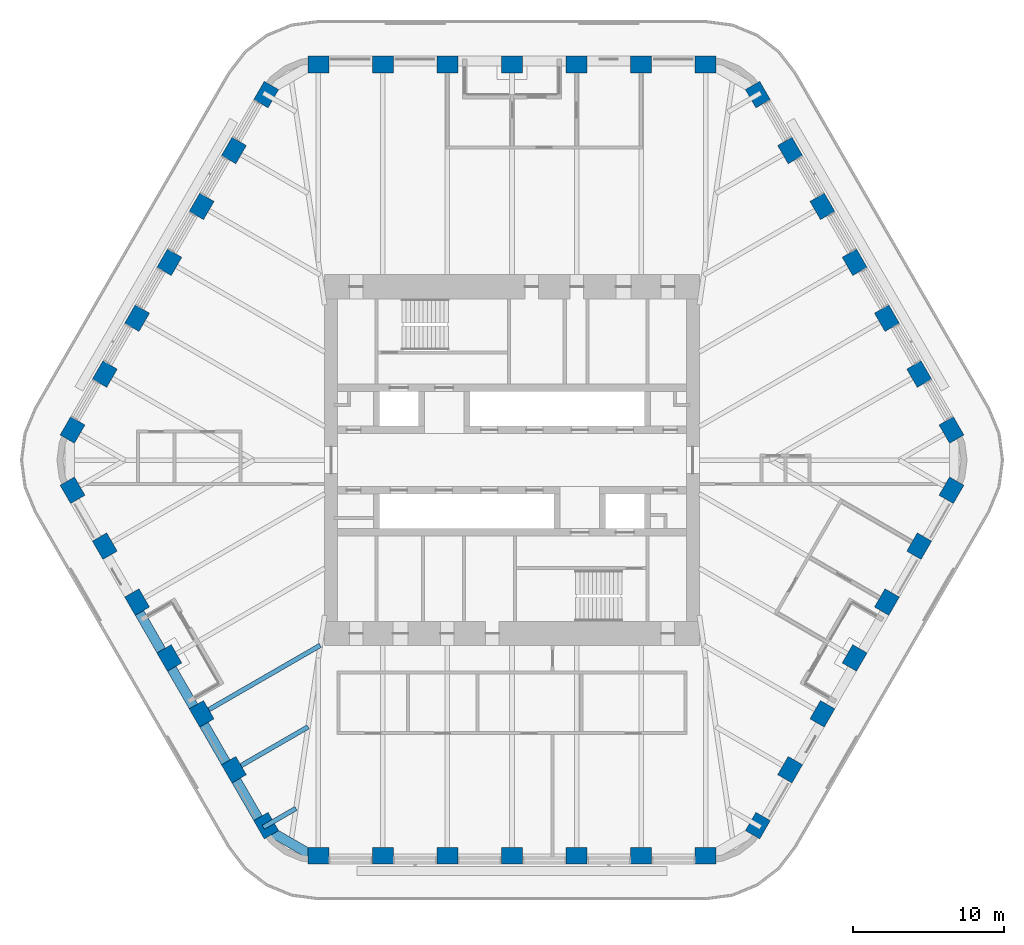
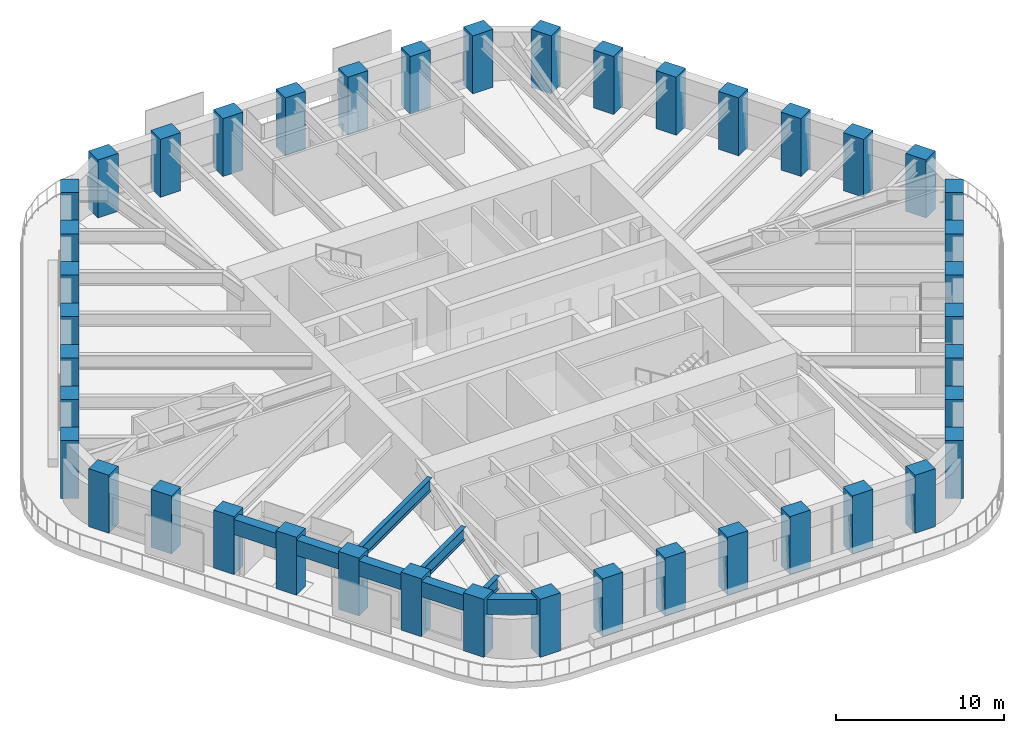
# One storey, part 1 of 19: 42 columns, 8 beams.
"""IFC4 building model written with IfcOpenShell, lengths in metres."""

from ifc_helpers import new_model, si_unit, direction, frame, origin, origin_2d, place, context, subcontext, project, spatial, rectangle, i_section, extrude, material, material_profile, profile_set, type_object, element, save


model = new_model("IFC4")

# Units and contexts
model_context = context("Model", 3, precision=1e-05, world=origin(), true_north=direction((0.0, 1.0)))
body_context = subcontext(model_context, "Body", "Model", "MODEL_VIEW")
ifc_project = project(units=[si_unit("LENGTHUNIT", "METRE"), si_unit("AREAUNIT", "SQUARE_METRE"), si_unit("VOLUMEUNIT", "CUBIC_METRE"), si_unit("PLANEANGLEUNIT", "RADIAN"), si_unit("MASSUNIT", "GRAM", prefix="KILO")], contexts=[model_context])

# Site, building, storey
site_placement = place(None, origin())
site = spatial("IfcSite", under=ifc_project, at=site_placement, CompositionType="ELEMENT")
building_placement = place(site_placement, origin())
building = spatial("IfcBuilding", under=site, at=building_placement, Name="Tarfa Lantern Tower", CompositionType="ELEMENT")
storey_placement = place(building_placement, frame((0.0, 0.0, 328.300048828125)))
storey = spatial("IfcBuildingStorey", under=building, at=storey_placement, Name="L74", CompositionType="ELEMENT", Elevation=328.300048828125)

# Columns
ifc_material_1 = material(Name="Concrete C80/95", Category="concrete")
ifc_material_profile_1 = material_profile(ifc_material_1, rectangle(XDim=1.39990234375, YDim=1.10009765625, at=origin_2d()), Name="RC 1400x1100")
ifc_profile_set_1 = profile_set([ifc_material_profile_1], Name="Concrete C80/95")
column_type = type_object("IfcColumnType", Name="TC13 RC 1400x1100", PredefinedType="COLUMN", material=ifc_profile_set_1)
for number, where, z_axis, x_axis, name in (
    (1, (29.15625, 2.0, 0.0), (0.0, 0.0, 1.0), (-0.5, 0.866025403784, 0.0), "Tube column NE0"),
    (2, (27.01513671875, 5.708251953125, 0.0), (0.0, 0.0, 1.0), (-0.5, 0.866025403784, 0.0), "Tube column NE1"),
    (3, (24.874267578125, 9.416748046875, 0.0), (0.0, 0.0, 1.0), (-0.5, 0.866025403784, 0.0), "Tube column NE2"),
    (4, (22.733154296875, 13.125, 0.0), (0.0, 0.0, 1.0), (-0.5, 0.866025403784, 0.0), "Tube column NE3"),
    (5, (20.592041015625, 16.833251953125, 0.0), (0.0, 0.0, 1.0), (-0.5, 0.866025403784, 0.0), "Tube column NE4"),
    (6, (18.451171875, 20.541748046875, 0.0), (0.0, 0.0, 1.0), (-0.5, 0.866025403784, 0.0), "Tube column NE5"),
    (7, (16.31005859375, 24.25, 0.0), (0.0, 0.0, 1.0), (-0.5, 0.866025403784, 0.0), "Tube column NE6"),
    (8, (12.845947265625, 26.25, 0.0), (0.0, 0.0, 1.0), (-1.0, 0.0, 0.0), "Tube column N0"),
    (9, (8.56396484375, 26.25, 0.0), (0.0, 0.0, 1.0), (-1.0, 0.0, 0.0), "Tube column N1"),
    (10, (4.281982421875, 26.25, 0.0), (0.0, 0.0, 1.0), (-1.0, 0.0, 0.0), "Tube column N2"),
    (11, (0.0, 26.25, 0.0), (0.0, 0.0, 1.0), (-1.0, 0.0, 0.0), "Tube column N3"),
    (12, (-4.281982421875, 26.25, 0.0), (0.0, 0.0, 1.0), (-1.0, 0.0, 0.0), "Tube column N4"),
    (13, (-8.56396484375, 26.25, 0.0), (0.0, 0.0, 1.0), (-1.0, 0.0, 0.0), "Tube column N5"),
    (14, (-12.845947265625, 26.25, 0.0), (0.0, 0.0, 1.0), (-1.0, 0.0, 0.0), "Tube column N6"),
    (15, (-16.31005859375, 24.25, 0.0), (0.0, 0.0, 1.0), (-0.5, -0.866025403784, 0.0), "Tube column NW0"),
    (16, (-18.451171875, 20.541748046875, 0.0), (0.0, 0.0, 1.0), (-0.5, -0.866025403784, 0.0), "Tube column NW1"),
    (17, (-20.592041015625, 16.833251953125, 0.0), (0.0, 0.0, 1.0), (-0.5, -0.866025403784, 0.0), "Tube column NW2"),
    (18, (-22.733154296875, 13.125, 0.0), (0.0, 0.0, 1.0), (-0.5, -0.866025403784, 0.0), "Tube column NW3"),
    (19, (-24.874267578125, 9.416748046875, 0.0), (0.0, 0.0, 1.0), (-0.5, -0.866025403784, 0.0), "Tube column NW4"),
    (20, (-27.01513671875, 5.708251953125, 0.0), (0.0, 0.0, 1.0), (-0.5, -0.866025403784, 0.0), "Tube column NW5"),
    (21, (-29.15625, 2.0, 0.0), (0.0, 0.0, 1.0), (-0.5, -0.866025403784, 0.0), "Tube column NW6"),
    (22, (-29.15625, -2.0, 0.0), (0.0, 0.0, 1.0), (0.5, -0.866025403784, 0.0), "Tube column SW0"),
    (23, (-27.01513671875, -5.708251953125, 0.0), (0.0, 0.0, 1.0), (0.5, -0.866025403784, 0.0), "Tube column SW1"),
    (24, (-24.874267578125, -9.416748046875, 0.0), (0.0, 0.0, 1.0), (0.5, -0.866025403784, 0.0), "Tube column SW2"),
    (25, (-22.733154296875, -13.125, 0.0), (0.0, 0.0, 1.0), (0.5, -0.866025403784, 0.0), "Tube column SW3"),
    (26, (-20.592041015625, -16.833251953125, 0.0), (0.0, 0.0, 1.0), (0.5, -0.866025403784, 0.0), "Tube column SW4"),
    (27, (-18.451171875, -20.541748046875, 0.0), (0.0, 0.0, 1.0), (0.5, -0.866025403784, 0.0), "Tube column SW5"),
    (28, (-16.31005859375, -24.25, 0.0), (0.0, 0.0, 1.0), (0.5, -0.866025403784, 0.0), "Tube column SW6"),
    (29, (-12.845947265625, -26.25, 0.0), (0.0, 0.0, 1.0), (1.0, 0.0, 0.0), "Tube column S0"),
    (30, (-8.56396484375, -26.25, 0.0), (0.0, 0.0, 1.0), (1.0, 0.0, 0.0), "Tube column S1"),
    (31, (-4.281982421875, -26.25, 0.0), (0.0, 0.0, 1.0), (1.0, 0.0, 0.0), "Tube column S2"),
    (32, (0.0, -26.25, 0.0), (0.0, 0.0, 1.0), (1.0, 0.0, 0.0), "Tube column S3"),
    (33, (4.281982421875, -26.25, 0.0), (0.0, 0.0, 1.0), (1.0, 0.0, 0.0), "Tube column S4"),
    (34, (8.56396484375, -26.25, 0.0), (0.0, 0.0, 1.0), (1.0, 0.0, 0.0), "Tube column S5"),
    (35, (12.845947265625, -26.25, 0.0), (0.0, 0.0, 1.0), (1.0, 0.0, 0.0), "Tube column S6"),
    (36, (16.31005859375, -24.25, 0.0), (0.0, 0.0, 1.0), (0.5, 0.866025403784, 0.0), "Tube column SE0"),
    (37, (18.451171875, -20.541748046875, 0.0), (0.0, 0.0, 1.0), (0.5, 0.866025403784, 0.0), "Tube column SE1"),
    (38, (20.592041015625, -16.833251953125, 0.0), (0.0, 0.0, 1.0), (0.5, 0.866025403784, 0.0), "Tube column SE2"),
    (39, (22.733154296875, -13.125, 0.0), (0.0, 0.0, 1.0), (0.5, 0.866025403784, 0.0), "Tube column SE3"),
    (40, (24.874267578125, -9.416748046875, 0.0), (0.0, 0.0, 1.0), (0.5, 0.866025403784, 0.0), "Tube column SE4"),
    (41, (27.01513671875, -5.708251953125, 0.0), (0.0, 0.0, 1.0), (0.5, 0.866025403784, 0.0), "Tube column SE5"),
    (42, (29.15625, -2.0, 0.0), (0.0, 0.0, 1.0), (0.5, 0.866025403784, 0.0), "Tube column SE6"),
):
    element("IfcColumn", number, at=place(storey_placement, frame(where, z_axis=z_axis, x_axis=x_axis)), inside=storey, type_object=column_type, Name=name, PredefinedType="COLUMN", context=body_context, shape_type="SweptSolid", body=[
        extrude(rectangle(XDim=1.39990234375, YDim=1.10009765625, at=origin_2d()), origin(), (0.0, 0.0, 1.0), 4.199951171875),
    ])

# Beams
ifc_material_profile_2 = material_profile(ifc_material_1, rectangle(XDim=0.64990234375, YDim=1.10009765625, at=origin_2d()), Name="RC 650x1100")
ifc_profile_set_2 = profile_set([ifc_material_profile_2], Name="Concrete C80/95")
beam_type_1 = type_object("IfcBeamType", Name="EB4 RC 650x1100", PredefinedType="SPANDREL", material=ifc_profile_set_2)
beam_1_placement = place(storey_placement, frame((-25.064697265625, -9.526611328125, 3.449951171875), z_axis=(0.500002112793, -0.866024183959, 0.0), x_axis=(0.866024183959, 0.500002112793, 0.0)))
element("IfcBeam", 43, at=beam_1_placement, inside=storey, type_object=beam_type_1, Name="Edge beam SW2", PredefinedType="SPANDREL", context=body_context, shape_type="SweptSolid", body=[
    extrude(rectangle(XDim=0.64990234375, YDim=1.10009765625, at=origin_2d()), origin(), (0.0, 0.0, 1.0), 4.2822265625),
])
for number, where, z_axis, x_axis, name in (
    (44, (-22.923583984375, -13.235107421875, 3.449951171875), (0.499984039138, -0.866034618596, 0.0), (0.866034618596, 0.499984039138, 0.0), "Edge beam SW3"),
    (45, (-20.78271484375, -16.943359375, 3.449951171875), (0.500026801138, -0.866009929587, 0.0), (0.866009929587, 0.500026801138, 0.0), "Edge beam SW4"),
    (46, (-18.6416015625, -20.651611328125, 3.449951171875), (0.499959351497, -0.866048870937, 0.0), (0.866048870937, 0.499959351497, 0.0), "Edge beam SW5"),
):
    element("IfcBeam", number, at=place(storey_placement, frame(where, z_axis=z_axis, x_axis=x_axis)), inside=storey, type_object=beam_type_1, Name=name, PredefinedType="SPANDREL", context=body_context, shape_type="SweptSolid", body=[
        extrude(rectangle(XDim=0.64990234375, YDim=1.10009765625, at=origin_2d()), origin(), (0.0, 0.0, 1.0), 4.281982421875),
    ])
beam_2_placement = place(storey_placement, frame((-16.500732421875, -24.360107421875, 3.449951171875), z_axis=(0.866048788483, -0.499959494327, 0.0), x_axis=(0.499959494327, 0.866048788483, 0.0)))
element("IfcBeam", 47, at=beam_2_placement, inside=storey, type_object=beam_type_1, Name="Edge beam SW6", PredefinedType="SPANDREL", context=body_context, shape_type="SweptSolid", body=[
    extrude(rectangle(XDim=0.64990234375, YDim=1.10009765625, at=origin_2d()), origin(), (0.0, 0.0, 1.0), 4.219970703125),
])
ifc_material_2 = material(Name="Steel S460M", Category="steel")
ifc_material_profile_3 = material_profile(ifc_material_2, i_section(OverallWidth=0.305419921875, OverallDepth=0.91845703125, WebThickness=0.017333984375, FlangeThickness=0.02783203125, FilletRadius=0.01904296875, at=origin_2d()), Name="UB914x305x253")
ifc_profile_set_3 = profile_set([ifc_material_profile_3], Name="Steel S460M")
beam_type_2 = type_object("IfcBeamType", Name="UB914x305x253", PredefinedType="BEAM", material=ifc_profile_set_3)
beam_3_placement = place(storey_placement, frame((-20.78271484375, -16.943359375, 3.540771484375), z_axis=(0.866021806508, 0.500006230613, 0.0), x_axis=(-0.500006230613, 0.866021806508, 0.0)))
element("IfcBeam", 48, at=beam_3_placement, inside=storey, type_object=beam_type_2, Name="Floor beam SW4", PredefinedType="BEAM", context=body_context, shape_type="SweptSolid", body=[
    extrude(i_section(OverallWidth=0.305419921875, OverallDepth=0.91845703125, WebThickness=0.017333984375, FlangeThickness=0.02783203125, FilletRadius=0.01904296875, at=origin_2d()), origin(), (0.0, 0.0, 1.0), 9.30908203125),
])
beam_4_placement = place(storey_placement, frame((-18.6416015625, -20.651611328125, 3.540771484375), z_axis=(0.866024549157, 0.500001480256, 0.0), x_axis=(-0.500001480256, 0.866024549157, 0.0)))
element("IfcBeam", 49, at=beam_4_placement, inside=storey, type_object=beam_type_2, Name="Floor beam SW5", PredefinedType="BEAM", context=body_context, shape_type="SweptSolid", body=[
    extrude(i_section(OverallWidth=0.305419921875, OverallDepth=0.91845703125, WebThickness=0.017333984375, FlangeThickness=0.02783203125, FilletRadius=0.01904296875, at=origin_2d()), origin(), (0.0, 0.0, 1.0), 5.90771484375),
])
beam_5_placement = place(storey_placement, frame((-16.500732421875, -24.360107421875, 3.540771484375), z_axis=(0.865992557167, 0.500056887695, 0.0), x_axis=(-0.500056887695, 0.865992557167, 0.0)))
element("IfcBeam", 50, at=beam_5_placement, inside=storey, type_object=beam_type_2, Name="Floor beam SW6", PredefinedType="BEAM", context=body_context, shape_type="SweptSolid", body=[
    extrude(i_section(OverallWidth=0.305419921875, OverallDepth=0.91845703125, WebThickness=0.017333984375, FlangeThickness=0.02783203125, FilletRadius=0.01904296875, at=origin_2d()), origin(), (0.0, 0.0, 1.0), 2.506591796875),
])

save(model, "model.ifc")
